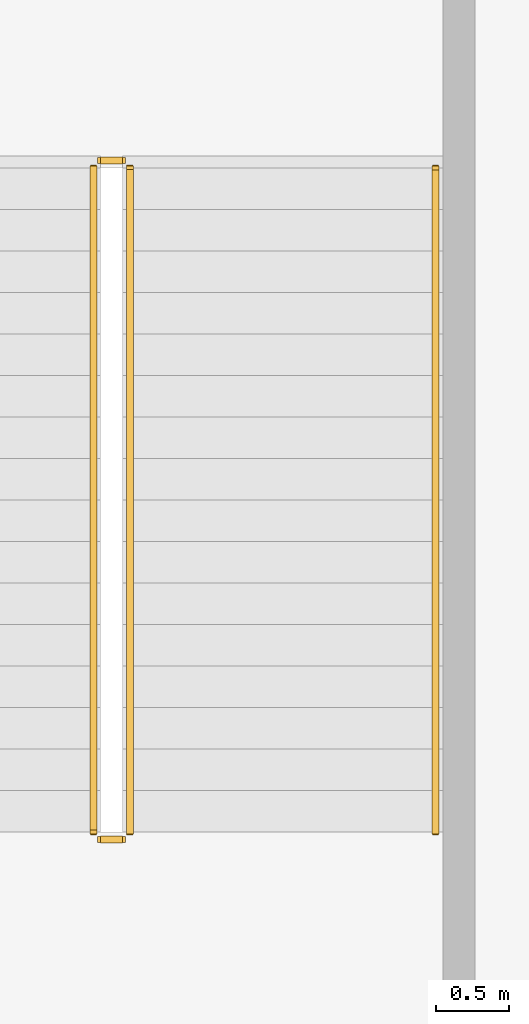
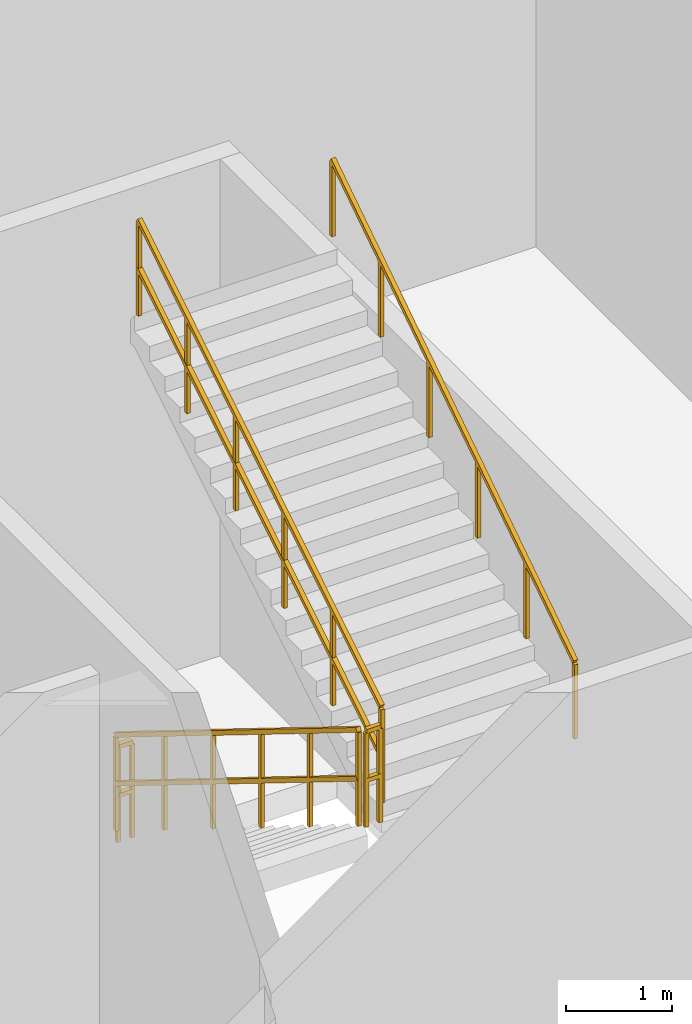
# One storey, part 25 of 25: 5 railings.
"""IFC4 building model written with IfcOpenShell, lengths in metres."""

from ifc_helpers import new_model, si_unit, direction, frame, origin, origin_2d, place, context, subcontext, project, spatial, rectangle, extrude, material, type_object, element, save


model = new_model("IFC4")

# Units and contexts
model_context = context("Model", 3, precision=1e-05, world=origin(), true_north=direction((0.0, 1.0)))
body_context = subcontext(model_context, "Body", "Model", "MODEL_VIEW")
ifc_project = project(units=[si_unit("LENGTHUNIT", "METRE"), si_unit("AREAUNIT", "SQUARE_METRE"), si_unit("VOLUMEUNIT", "CUBIC_METRE"), si_unit("PLANEANGLEUNIT", "RADIAN"), si_unit("MASSUNIT", "GRAM", prefix="KILO")], contexts=[model_context])

# Site, building, storey
site_placement = place(None, origin())
site = spatial("IfcSite", under=ifc_project, at=site_placement, CompositionType="ELEMENT")
building_placement = place(site_placement, origin())
building = spatial("IfcBuilding", under=site, at=building_placement, Name="Apsidion Concourse Tower", CompositionType="ELEMENT")
storey_placement = place(building_placement, frame((0.0, 0.0, 11.5)))
storey = spatial("IfcBuildingStorey", under=building, at=storey_placement, Name="L02", CompositionType="ELEMENT", Elevation=11.5)

# Railings
ifc_material = material(Name="Brushed stainless steel 316", Category="steel")
railing_type_1 = type_object("IfcRailingType", Name="RL-GUARD-1100", PredefinedType="GUARDRAIL", material=ifc_material)
railing_1_placement = place(storey_placement, frame((31.800048828125, 22.60009765625, 0.176513671875)))
element("IfcRailing", 1, at=railing_1_placement, inside=storey, type_object=railing_type_1, Name="L02 ST-P4 stair guard 1", PredefinedType="GUARDRAIL", context=body_context, shape_type="SweptSolid", body=[
    extrude(rectangle(XDim=0.048095703125, YDim=0.048095703125, at=origin_2d()), frame((0.0, 0.0, 1.09619140625), z_axis=(0.0, -0.850215668316, 0.526434532824), x_axis=(1.0, 0.0, 0.0)), (0.0, 0.0, 1.0), 5.363525390625),
    extrude(rectangle(XDim=0.048095703125, YDim=0.048095703125, at=origin_2d()), frame((0.0, 0.0, 0.5361328125), z_axis=(0.0, -0.850215668316, 0.526434532824), x_axis=(1.0, 0.0, 0.0)), (0.0, 0.0, 1.0), 5.363525390625),
    extrude(rectangle(XDim=0.0419921875, YDim=0.0419921875, at=origin_2d()), origin(), (0.0, 0.0, 1.0), 1.072021484375),
    extrude(rectangle(XDim=0.0419921875, YDim=0.0419921875, at=origin_2d()), frame((0.0, -0.912109375, 0.564697265625)), (0.0, 0.0, 1.0), 1.072021484375),
    extrude(rectangle(XDim=0.0419921875, YDim=0.0419921875, at=origin_2d()), frame((0.0, -1.823974609375, 1.12939453125)), (0.0, 0.0, 1.0), 1.072021484375),
    extrude(rectangle(XDim=0.0419921875, YDim=0.0419921875, at=origin_2d()), frame((0.0, -2.736083984375, 1.694091796875)), (0.0, 0.0, 1.0), 1.072021484375),
    extrude(rectangle(XDim=0.0419921875, YDim=0.0419921875, at=origin_2d()), frame((0.0, -3.64794921875, 2.2587890625)), (0.0, 0.0, 1.0), 1.072021484375),
    extrude(rectangle(XDim=0.0419921875, YDim=0.0419921875, at=origin_2d()), frame((0.0, -4.56005859375, 2.823486328125)), (0.0, 0.0, 1.0), 1.072021484375),
])
railing_2_placement = place(storey_placement, frame((31.85009765625, 17.989990234375, 3.0)))
element("IfcRailing", 2, at=railing_2_placement, inside=storey, type_object=railing_type_1, Name="L02 ST-P4 stair guard 2", PredefinedType="GUARDRAIL", context=body_context, shape_type="SweptSolid", body=[
    extrude(rectangle(XDim=0.048095703125, YDim=0.048095703125, at=origin_2d()), frame((0.0, 0.0, 1.09619140625), z_axis=(1.0, 0.0, 0.0), x_axis=(0.0, 1.0, 0.0)), (0.0, 0.0, 1.0), 0.14990234375),
    extrude(rectangle(XDim=0.048095703125, YDim=0.048095703125, at=origin_2d()), frame((0.0, 0.0, 0.5361328125), z_axis=(1.0, 0.0, 0.0), x_axis=(0.0, 1.0, 0.0)), (0.0, 0.0, 1.0), 0.14990234375),
    extrude(rectangle(XDim=0.0419921875, YDim=0.0419921875, at=origin_2d()), origin(), (0.0, 0.0, 1.0), 1.072021484375),
    extrude(rectangle(XDim=0.0419921875, YDim=0.0419921875, at=origin_2d()), frame((0.14990234375, 0.0, 0.0)), (0.0, 0.0, 1.0), 1.072021484375),
])
railing_3_placement = place(storey_placement, frame((32.050048828125, 18.0400390625, 3.176513671875)))
element("IfcRailing", 3, at=railing_3_placement, inside=storey, type_object=railing_type_1, Name="L02 ST-P4 stair guard 3", PredefinedType="GUARDRAIL", context=body_context, shape_type="SweptSolid", body=[
    extrude(rectangle(XDim=0.048095703125, YDim=0.048095703125, at=origin_2d()), frame((0.0, 0.0, 1.09619140625), z_axis=(0.0, 0.850215668316, 0.526434532824), x_axis=(-1.0, 0.0, 0.0)), (0.0, 0.0, 1.0), 5.363525390625),
    extrude(rectangle(XDim=0.048095703125, YDim=0.048095703125, at=origin_2d()), frame((0.0, 0.0, 0.5361328125), z_axis=(0.0, 0.850215668316, 0.526434532824), x_axis=(-1.0, 0.0, 0.0)), (0.0, 0.0, 1.0), 5.363525390625),
    extrude(rectangle(XDim=0.0419921875, YDim=0.0419921875, at=origin_2d()), origin(), (0.0, 0.0, 1.0), 1.072021484375),
    extrude(rectangle(XDim=0.0419921875, YDim=0.0419921875, at=origin_2d()), frame((0.0, 0.912109375, 0.564697265625)), (0.0, 0.0, 1.0), 1.072021484375),
    extrude(rectangle(XDim=0.0419921875, YDim=0.0419921875, at=origin_2d()), frame((0.0, 1.823974609375, 1.12939453125)), (0.0, 0.0, 1.0), 1.072021484375),
    extrude(rectangle(XDim=0.0419921875, YDim=0.0419921875, at=origin_2d()), frame((0.0, 2.736083984375, 1.694091796875)), (0.0, 0.0, 1.0), 1.072021484375),
    extrude(rectangle(XDim=0.0419921875, YDim=0.0419921875, at=origin_2d()), frame((0.0, 3.64794921875, 2.2587890625)), (0.0, 0.0, 1.0), 1.072021484375),
    extrude(rectangle(XDim=0.0419921875, YDim=0.0419921875, at=origin_2d()), frame((0.0, 4.56005859375, 2.823486328125)), (0.0, 0.0, 1.0), 1.072021484375),
])
railing_4_placement = place(storey_placement, frame((31.85009765625, 22.64990234375, 0.0)))
element("IfcRailing", 4, at=railing_4_placement, inside=storey, type_object=railing_type_1, Name="L02 ST-P4 stair guard 4", PredefinedType="GUARDRAIL", context=body_context, shape_type="SweptSolid", body=[
    extrude(rectangle(XDim=0.048095703125, YDim=0.048095703125, at=origin_2d()), frame((0.0, 0.0, 1.09619140625), z_axis=(1.0, 0.0, 0.0), x_axis=(0.0, 1.0, 0.0)), (0.0, 0.0, 1.0), 0.14990234375),
    extrude(rectangle(XDim=0.048095703125, YDim=0.048095703125, at=origin_2d()), frame((0.0, 0.0, 0.5361328125), z_axis=(1.0, 0.0, 0.0), x_axis=(0.0, 1.0, 0.0)), (0.0, 0.0, 1.0), 0.14990234375),
    extrude(rectangle(XDim=0.0419921875, YDim=0.0419921875, at=origin_2d()), origin(), (0.0, 0.0, 1.0), 1.072021484375),
    extrude(rectangle(XDim=0.0419921875, YDim=0.0419921875, at=origin_2d()), frame((0.14990234375, 0.0, 0.0)), (0.0, 0.0, 1.0), 1.072021484375),
])
railing_type_2 = type_object("IfcRailingType", Name="RL-HAND-900", PredefinedType="HANDRAIL", material=ifc_material)
railing_5_placement = place(storey_placement, frame((34.14990234375, 18.0400390625, 3.176513671875)))
element("IfcRailing", 5, at=railing_5_placement, inside=storey, type_object=railing_type_2, Name="L02 ST-P4 stair handrail 2", PredefinedType="HANDRAIL", context=body_context, shape_type="SweptSolid", body=[
    extrude(rectangle(XDim=0.048095703125, YDim=0.048095703125, at=origin_2d()), frame((0.0, 0.0, 0.8759765625), z_axis=(0.0, 0.835420324919, 0.549611572578), x_axis=(-1.0, 0.0, 0.0)), (0.0, 0.0, 1.0), 5.45849609375),
    extrude(rectangle(XDim=0.0419921875, YDim=0.0419921875, at=origin_2d()), origin(), (0.0, 0.0, 1.0), 0.851806640625),
    extrude(rectangle(XDim=0.0419921875, YDim=0.0419921875, at=origin_2d()), frame((0.0, 0.912109375, 0.60009765625)), (0.0, 0.0, 1.0), 0.851806640625),
    extrude(rectangle(XDim=0.0419921875, YDim=0.0419921875, at=origin_2d()), frame((0.0, 1.823974609375, 1.199951171875)), (0.0, 0.0, 1.0), 0.851806640625),
    extrude(rectangle(XDim=0.0419921875, YDim=0.0419921875, at=origin_2d()), frame((0.0, 2.736083984375, 1.800048828125)), (0.0, 0.0, 1.0), 0.851806640625),
    extrude(rectangle(XDim=0.0419921875, YDim=0.0419921875, at=origin_2d()), frame((0.0, 3.64794921875, 2.39990234375)), (0.0, 0.0, 1.0), 0.851806640625),
    extrude(rectangle(XDim=0.0419921875, YDim=0.0419921875, at=origin_2d()), frame((0.0, 4.56005859375, 3.0)), (0.0, 0.0, 1.0), 0.851806640625),
])

save(model, "model.ifc")
